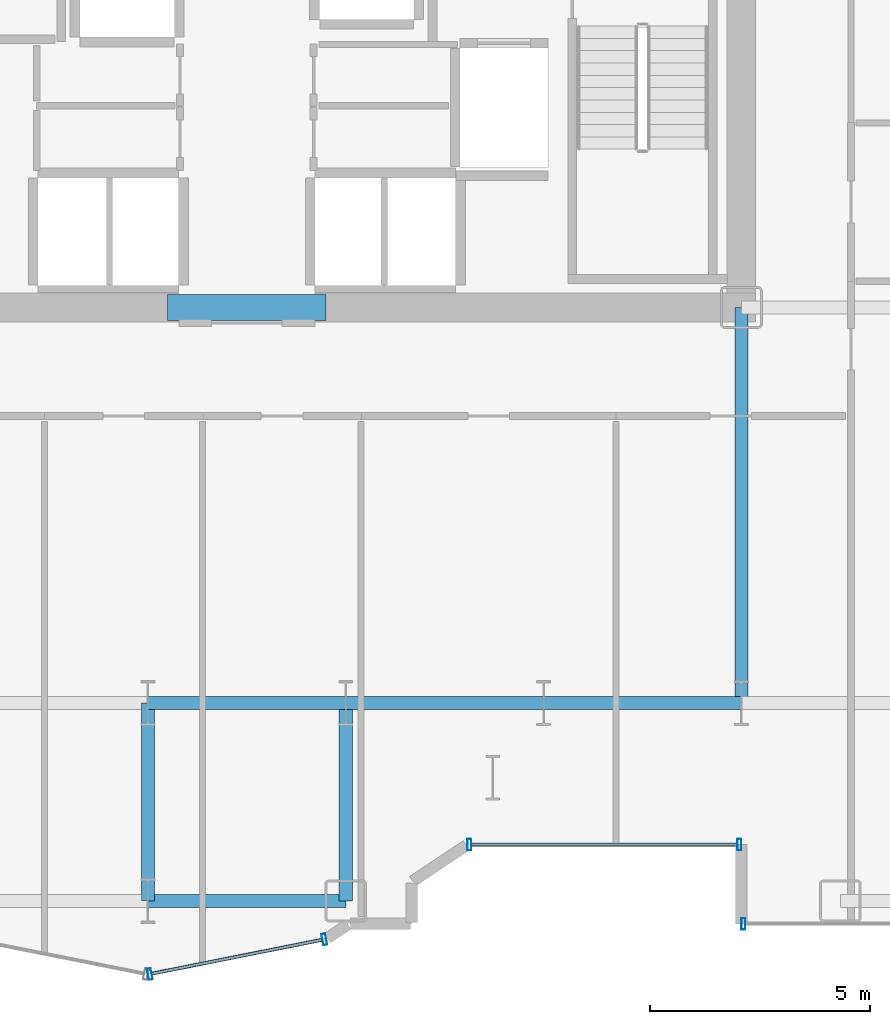
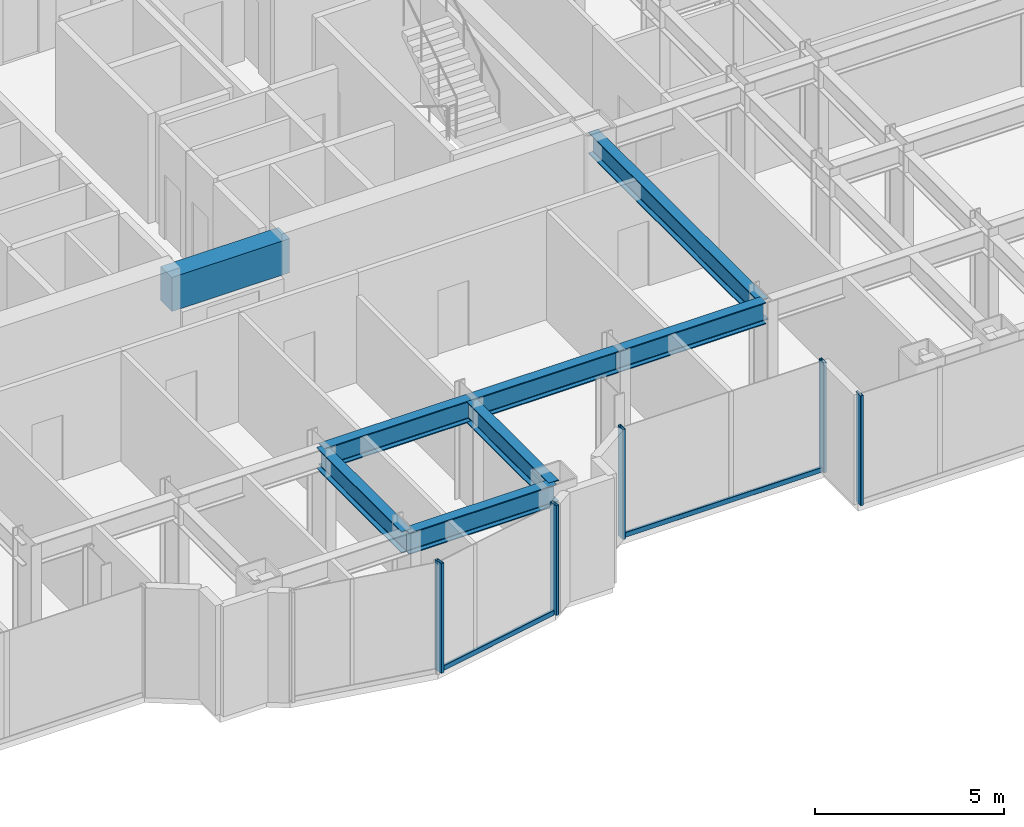
# One storey, part 6 of 26: 8 beams, 7 members, 3 elements without a shape of their own.
"""IFC4 building model written with IfcOpenShell, lengths in metres."""

from ifc_helpers import new_model, si_unit, direction, frame, origin, origin_2d, place, context, subcontext, project, spatial, rectangle, hollow_rectangle, i_section, extrude, source, transform, mapped, material, layer, layer_set, material_profile, profile_set, type_object, element, aggregate, save


model = new_model("IFC4")

# Units and contexts
model_context = context("Model", 3, precision=1e-05, world=origin(), true_north=direction((0.0, 1.0)))
body_context = subcontext(model_context, "Body", "Model", "MODEL_VIEW")
ifc_project = project(units=[si_unit("LENGTHUNIT", "METRE"), si_unit("AREAUNIT", "SQUARE_METRE"), si_unit("VOLUMEUNIT", "CUBIC_METRE"), si_unit("PLANEANGLEUNIT", "RADIAN"), si_unit("MASSUNIT", "GRAM", prefix="KILO")], contexts=[model_context])

# Site, building, storey
site_placement = place(None, origin())
site = spatial("IfcSite", under=ifc_project, at=site_placement, CompositionType="ELEMENT")
building_placement = place(site_placement, origin())
building = spatial("IfcBuilding", under=site, at=building_placement, Name="Nefas-Gora Pilgrimage Tower", CompositionType="ELEMENT")
storey_placement = place(building_placement, frame((0.0, 0.0, 40.60009765625)))
storey = spatial("IfcBuildingStorey", under=building, at=storey_placement, Name="L08", CompositionType="ELEMENT", Elevation=40.60009765625)

# Beams
ifc_material_1 = material(Name="Concrete C60/75", Category="concrete")
ifc_material_profile_1 = material_profile(ifc_material_1, rectangle(XDim=0.60009765625, YDim=1.10009765625, at=origin_2d()), Name="RC 600x1100")
ifc_profile_set_1 = profile_set([ifc_material_profile_1], Name="Concrete C60/75")
beam_type_1 = type_object("IfcBeamType", Name="BM-LIN-RC1100", PredefinedType="LINTEL", material=ifc_profile_set_1)
shared_shape_1 = source(origin(), body_context, "Body", "SweptSolid", [
    extrude(rectangle(XDim=0.60009765625, YDim=1.10009765625, at=origin_2d()), origin(), (0.0, 0.0, 1.0), 3.60009765625),
])
beam_1_placement = place(storey_placement, frame((-1.800048828125, -9.0, 3.0), z_axis=(1.0, 0.0, 0.0), x_axis=(0.0, 1.0, 0.0)))
element("IfcBeam", 1, at=beam_1_placement, inside=storey, type_object=beam_type_1, Name="L08 Core Coupling Lintel Beam S", PredefinedType="LINTEL", context=body_context, shape_type="MappedRepresentation", body=[
    mapped(shared_shape_1, transform((0.0, 0.0, 0.0), x_axis=(1.0, 0.0, 0.0), y_axis=(0.0, 1.0, 0.0), z_axis=(0.0, 0.0, 1.0), scale=1.0)),
])
ifc_material_2 = material(Name="Steel S355", Category="steel")
ifc_material_profile_2 = material_profile(ifc_material_2, i_section(OverallWidth=0.300048828125, OverallDepth=0.699951171875, WebThickness=0.01708984375, FlangeThickness=0.031982421875, FilletRadius=0.027099609375, at=origin_2d()), Name="HEB 700")
ifc_profile_set_2 = profile_set([ifc_material_profile_2], Name="Steel S355")
beam_type_2 = type_object("IfcBeamType", Name="BM-GIR-HEB700", PredefinedType="BEAM", material=ifc_profile_set_2)
shared_shape_2 = source(origin(), body_context, "Body", "SweptSolid", [
    extrude(i_section(OverallWidth=0.300048828125, OverallDepth=0.699951171875, WebThickness=0.01708984375, FlangeThickness=0.031982421875, FilletRadius=0.027099609375, at=origin_2d()), origin(), (0.0, 0.0, 1.0), 9.0),
])
beam_2_placement = place(storey_placement, frame((11.25, -18.0, 3.199951171875), z_axis=(0.0, 1.0, 0.0), x_axis=(-1.0, 0.0, 0.0)))
element("IfcBeam", 2, at=beam_2_placement, inside=storey, type_object=beam_type_2, Name="L08 G-02 beam", PredefinedType="BEAM", context=body_context, shape_type="MappedRepresentation", body=[
    mapped(shared_shape_2, transform((0.0, 0.0, 0.0), x_axis=(1.0, 0.0, 0.0), y_axis=(0.0, 1.0, 0.0), z_axis=(0.0, 0.0, 1.0), scale=1.0)),
])
shared_shape_3 = source(origin(), body_context, "Body", "SweptSolid", [
    extrude(i_section(OverallWidth=0.300048828125, OverallDepth=0.699951171875, WebThickness=0.01708984375, FlangeThickness=0.031982421875, FilletRadius=0.027099609375, at=origin_2d()), origin(), (0.0, 0.0, 1.0), 4.5),
])
for number, where, z_axis, x_axis, name in (
    (3, (-2.25, -22.5, 3.199951171875), (0.0, 1.0, 0.0), (-1.0, 0.0, 0.0), "L08 G-02 beam"),
    (4, (-2.25, -22.5, 3.199951171875), (1.0, 0.0, 0.0), (0.0, 1.0, 0.0), "L08 G-02 beam"),
    (5, (-2.25, -18.0, 3.199951171875), (1.0, 0.0, 0.0), (0.0, 1.0, 0.0), "L08 G-02 beam"),
    (6, (2.25, -22.5, 3.199951171875), (0.0, 1.0, 0.0), (-1.0, 0.0, 0.0), "L08 G-02 beam"),
    (7, (2.25, -18.0, 3.199951171875), (1.0, 0.0, 0.0), (0.0, 1.0, 0.0), "L08 G-02 beam"),
    (8, (6.75, -18.0, 3.199951171875), (1.0, 0.0, 0.0), (0.0, 1.0, 0.0), "L08 G-02 beam"),
):
    element("IfcBeam", number, at=place(storey_placement, frame(where, z_axis=z_axis, x_axis=x_axis)), inside=storey, type_object=beam_type_2, Name=name, PredefinedType="BEAM", context=body_context, shape_type="MappedRepresentation", body=[
        mapped(shared_shape_3, transform((0.0, 0.0, 0.0), x_axis=(1.0, 0.0, 0.0), y_axis=(0.0, 1.0, 0.0), z_axis=(0.0, 0.0, 1.0), scale=1.0)),
    ])

# Curtain wall, member
ifc_material_3 = material(Name="Dark ceramic-fritted solar-control aluminium-glass curtain wall", Category="aluminium")
ifc_layer_1 = layer(ifc_material_3, 0.219970703125)
ifc_layer_set_1 = layer_set([ifc_layer_1], Name="Dark ceramic-fritted solar-control aluminium-glass curtain wall")
curtain_wall_type_1 = type_object("IfcCurtainWallType", Name="CW-SYS-5", PredefinedType="NOTDEFINED", material=ifc_layer_set_1)
curtain_wall_1_placement = place(storey_placement, origin())
curtain_wall_1 = element("IfcCurtainWall", 9, at=curtain_wall_1_placement, inside=storey, type_object=curtain_wall_type_1, Name="L08 Unitised Curtain Wall CW5", PredefinedType="NOTDEFINED")
ifc_material_4 = material(Name="Anodised architectural aluminium", Category="aluminium")
ifc_material_profile_3 = material_profile(ifc_material_4, hollow_rectangle(XDim=0.080078125, YDim=0.159912109375, WallThickness=0.00439453125, InnerFilletRadius=0.00439453125, OuterFilletRadius=0.009033203125, at=origin_2d()), Name="ALU TRANSOM 80x160")
ifc_profile_set_3 = profile_set([ifc_material_profile_3], Name="Anodised architectural aluminium")
member_type_1 = type_object("IfcMemberType", Name="CWM-TRN-5", PredefinedType="USERDEFINED", material=ifc_profile_set_3)
shared_shape_4 = source(origin(), body_context, "Body", "SweptSolid", [
    extrude(hollow_rectangle(XDim=0.080078125, YDim=0.159912109375, WallThickness=0.00439453125, InnerFilletRadius=0.00439453125, OuterFilletRadius=0.009033203125, at=origin_2d()), origin(), (0.0, 0.0, 1.0), 6.052001953125),
])
member_1_placement = place(storey_placement, frame((5.10791015625, -21.219970703125, 0.0498046875), z_axis=(1.0, 0.0, 0.0), x_axis=(0.0, 1.0, 0.0)))
member_1 = element("IfcMember", 10, at=member_1_placement, type_object=member_type_1, Name="CW5 Spandrel Transom", ObjectType="TRANSOM", PredefinedType="USERDEFINED", context=body_context, shape_type="MappedRepresentation", body=[
    mapped(shared_shape_4, transform((0.0, 0.0, 0.0), x_axis=(1.0, 0.0, 0.0), y_axis=(0.0, 1.0, 0.0), z_axis=(0.0, 0.0, 1.0), scale=1.0)),
])

curtain_wall_2_placement = place(storey_placement, origin())
curtain_wall_2 = element("IfcCurtainWall", 11, at=curtain_wall_2_placement, inside=storey, type_object=curtain_wall_type_1, Name="L08 Unitised Curtain Wall CW5", PredefinedType="NOTDEFINED")
shared_shape_5 = source(origin(), body_context, "Body", "SweptSolid", [
    extrude(hollow_rectangle(XDim=0.080078125, YDim=0.159912109375, WallThickness=0.00439453125, InnerFilletRadius=0.00439453125, OuterFilletRadius=0.009033203125, at=origin_2d()), origin(), (0.0, 0.0, 1.0), 3.95654296875),
])
member_2_placement = place(storey_placement, frame((-2.16162109375, -24.15478515625, 0.0498046875), z_axis=(0.980781880918, 0.195107411605, 0.0), x_axis=(-0.195107411605, 0.980781880918, 0.0)))
member_2 = element("IfcMember", 12, at=member_2_placement, type_object=member_type_1, Name="CW5 Spandrel Transom", ObjectType="TRANSOM", PredefinedType="USERDEFINED", context=body_context, shape_type="MappedRepresentation", body=[
    mapped(shared_shape_5, transform((0.0, 0.0, 0.0), x_axis=(1.0, 0.0, 0.0), y_axis=(0.0, 1.0, 0.0), z_axis=(0.0, 0.0, 1.0), scale=1.0)),
])

# Member
ifc_material_profile_4 = material_profile(ifc_material_4, hollow_rectangle(XDim=0.090087890625, YDim=0.260009765625, WallThickness=0.006103515625, InnerFilletRadius=0.006103515625, OuterFilletRadius=0.011962890625, at=origin_2d()), Name="ALU MULLION 90x260")
ifc_profile_set_4 = profile_set([ifc_material_profile_4], Name="Anodised architectural aluminium")
member_type_2 = type_object("IfcMemberType", Name="CWM-MUL-5", PredefinedType="MULLION", material=ifc_profile_set_4)
shared_shape_6 = source(origin(), body_context, "Body", "SweptSolid", [
    extrude(hollow_rectangle(XDim=0.090087890625, YDim=0.260009765625, WallThickness=0.006103515625, InnerFilletRadius=0.006103515625, OuterFilletRadius=0.011962890625, at=origin_2d()), origin(), (0.0, 0.0, 1.0), 3.5498046875),
])
member_3_placement = place(storey_placement, frame((5.06298828125, -21.219970703125, 0.0), z_axis=(0.0, 0.0, 1.0), x_axis=(1.0, 0.0, 0.0)))
member_3 = element("IfcMember", 13, at=member_3_placement, type_object=member_type_2, Name="CW5 Mullion 1", PredefinedType="MULLION", context=body_context, shape_type="MappedRepresentation", body=[
    mapped(shared_shape_6, transform((0.0, 0.0, 0.0), x_axis=(1.0, 0.0, 0.0), y_axis=(0.0, 1.0, 0.0), z_axis=(0.0, 0.0, 1.0), scale=1.0)),
])

member_4_placement = place(storey_placement, frame((11.205078125, -21.219970703125, 0.0), z_axis=(0.0, 0.0, 1.0), x_axis=(1.0, 0.0, 0.0)))
member_4 = element("IfcMember", 14, at=member_4_placement, type_object=member_type_2, Name="CW5 Mullion 2", PredefinedType="MULLION", context=body_context, shape_type="MappedRepresentation", body=[
    mapped(shared_shape_6, transform((0.0, 0.0, 0.0), x_axis=(1.0, 0.0, 0.0), y_axis=(0.0, 1.0, 0.0), z_axis=(0.0, 0.0, 1.0), scale=1.0)),
])

aggregate(curtain_wall_1, [member_3, member_4, member_1])

member_5_placement = place(storey_placement, frame((-2.205810546875, -24.16357421875, 0.0), z_axis=(0.0, 0.0, 1.0), x_axis=(0.980782896852, 0.195102304554, 0.0)))
member_5 = element("IfcMember", 15, at=member_5_placement, type_object=member_type_2, Name="CW5 Mullion 1", PredefinedType="MULLION", context=body_context, shape_type="MappedRepresentation", body=[
    mapped(shared_shape_6, transform((0.0, 0.0, 0.0), x_axis=(1.0, 0.0, 0.0), y_axis=(0.0, 1.0, 0.0), z_axis=(0.0, 0.0, 1.0), scale=1.0)),
])

member_6_placement = place(storey_placement, frame((1.76318359375, -23.3740234375, 0.0), z_axis=(0.0, 0.0, 1.0), x_axis=(0.980782896852, 0.195102304554, 0.0)))
member_6 = element("IfcMember", 16, at=member_6_placement, type_object=member_type_2, Name="CW5 Mullion 2", PredefinedType="MULLION", context=body_context, shape_type="MappedRepresentation", body=[
    mapped(shared_shape_6, transform((0.0, 0.0, 0.0), x_axis=(1.0, 0.0, 0.0), y_axis=(0.0, 1.0, 0.0), z_axis=(0.0, 0.0, 1.0), scale=1.0)),
])

aggregate(curtain_wall_2, [member_5, member_6, member_2])

# Curtain wall, member
ifc_layer_2 = layer(ifc_material_3, 0.219970703125)
ifc_layer_set_2 = layer_set([ifc_layer_2], Name="Dark ceramic-fritted solar-control aluminium-glass curtain wall")
curtain_wall_type_2 = type_object("IfcCurtainWallType", Name="CW-SYS-2", PredefinedType="NOTDEFINED", material=ifc_layer_set_2)
curtain_wall_3_placement = place(storey_placement, origin())
curtain_wall_3 = element("IfcCurtainWall", 17, at=curtain_wall_3_placement, inside=storey, type_object=curtain_wall_type_2, Name="L08 Unitised Curtain Wall CW2", PredefinedType="NOTDEFINED")
ifc_material_profile_5 = material_profile(ifc_material_4, hollow_rectangle(XDim=0.090087890625, YDim=0.260009765625, WallThickness=0.006103515625, InnerFilletRadius=0.006103515625, OuterFilletRadius=0.011962890625, at=origin_2d()), Name="ALU MULLION 90x260")
ifc_profile_set_5 = profile_set([ifc_material_profile_5], Name="Anodised architectural aluminium")
member_type_3 = type_object("IfcMemberType", Name="CWM-MUL-2", PredefinedType="MULLION", material=ifc_profile_set_5)
shared_shape_7 = source(origin(), body_context, "Body", "SweptSolid", [
    extrude(hollow_rectangle(XDim=0.090087890625, YDim=0.260009765625, WallThickness=0.006103515625, InnerFilletRadius=0.006103515625, OuterFilletRadius=0.011962890625, at=origin_2d()), origin(), (0.0, 0.0, 1.0), 3.5498046875),
])
member_7_placement = place(storey_placement, frame((11.294921875, -23.02001953125, 0.0), z_axis=(0.0, 0.0, 1.0), x_axis=(1.0, 0.0, 0.0)))
member_7 = element("IfcMember", 18, at=member_7_placement, type_object=member_type_3, Name="CW2 Mullion 1", PredefinedType="MULLION", context=body_context, shape_type="MappedRepresentation", body=[
    mapped(shared_shape_7, transform((0.0, 0.0, 0.0), x_axis=(1.0, 0.0, 0.0), y_axis=(0.0, 1.0, 0.0), z_axis=(0.0, 0.0, 1.0), scale=1.0)),
])
aggregate(curtain_wall_3, [member_7])

save(model, "model.ifc")
